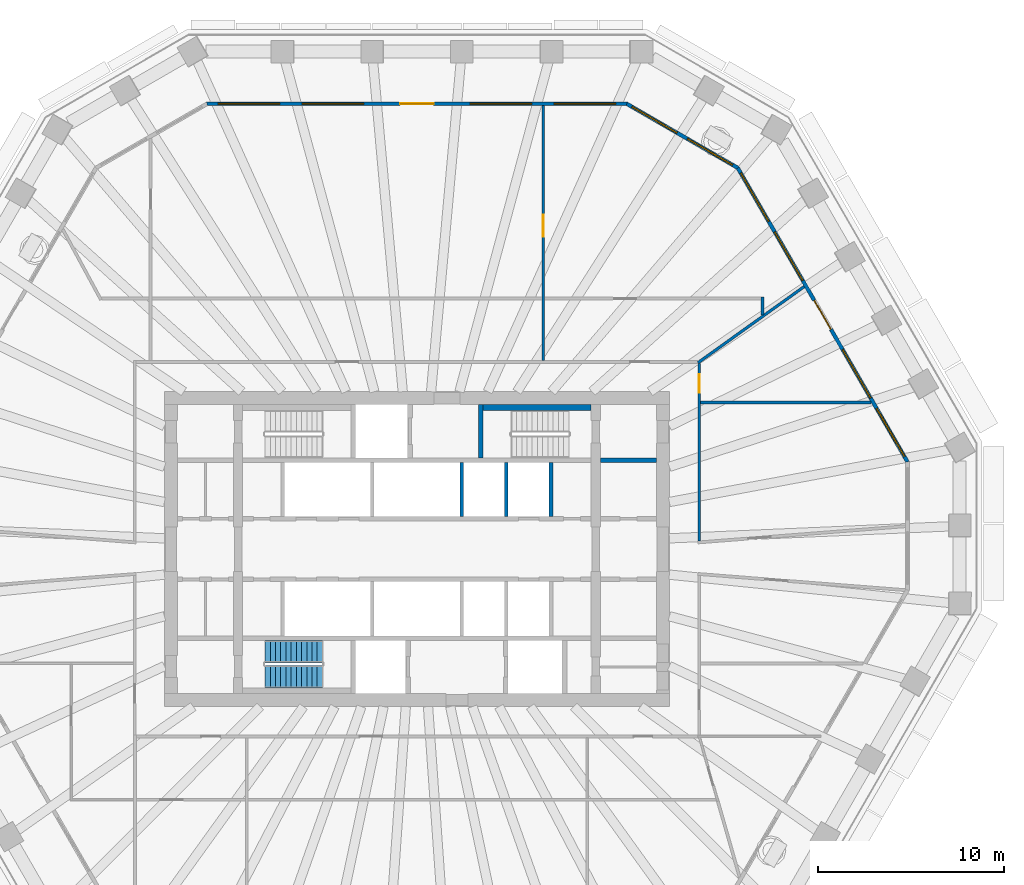
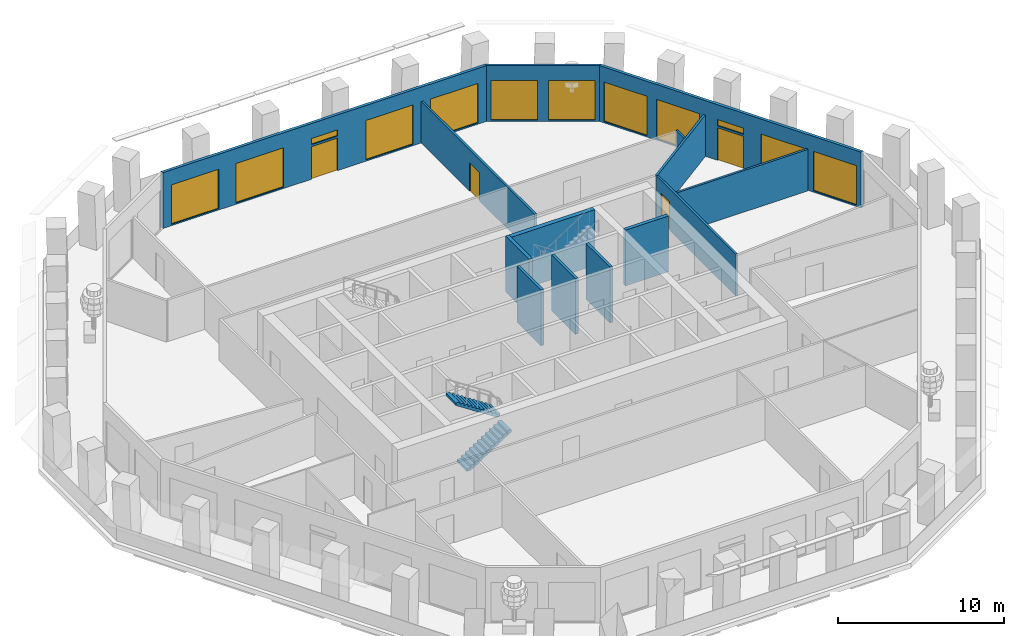
# One storey, part 8 of 13: 14 walls, 12 windows, 4 doors, 2 stair flights, 16 openings, 1 element without a shape of its own.
"""IFC4 building model written with IfcOpenShell, lengths in metres."""

from ifc_helpers import new_model, si_unit, direction, frame, frame_2d, origin, place, context, subcontext, project, spatial, polyline, rectangle, outline, extrude, material, layer, layer_set, type_object, element, fill, aggregate, save


model = new_model("IFC4")

# Units and contexts
model_context = context("Model", 3, precision=1e-05, world=origin(), true_north=direction((0.0, 1.0)))
body_context = subcontext(model_context, "Body", "Model", "MODEL_VIEW")
ifc_project = project(units=[si_unit("LENGTHUNIT", "METRE"), si_unit("AREAUNIT", "SQUARE_METRE"), si_unit("VOLUMEUNIT", "CUBIC_METRE"), si_unit("PLANEANGLEUNIT", "RADIAN"), si_unit("MASSUNIT", "GRAM", prefix="KILO")], contexts=[model_context])

# Site, building, storey
site_placement = place(None, origin())
site = spatial("IfcSite", under=ifc_project, at=site_placement, CompositionType="ELEMENT")
building_placement = place(site_placement, origin())
building = spatial("IfcBuilding", under=site, at=building_placement, Name="Frailejon Research Tower", CompositionType="ELEMENT")
storey_placement = place(building_placement, frame((0.0, 0.0, 184.800048828125)))
storey = spatial("IfcBuildingStorey", under=building, at=storey_placement, Name="L40", CompositionType="ELEMENT", Elevation=184.800048828125)

# Wall, opening, door
ifc_material_1 = material(Name="Gypsum board and masonry partition", Category="masonry")
ifc_layer_1 = layer(ifc_material_1, 0.14990234375)
ifc_layer_set_1 = layer_set([ifc_layer_1], Name="Corridor wall EI 60, gypsum on steel studs 150")
wall_type_1 = type_object("IfcWallType", Name="Corridor wall EI 60, gypsum on steel studs 150", PredefinedType="PARTITIONING", material=ifc_layer_set_1)
wall_1_placement = place(storey_placement, frame((15.14990234375, 0.4375, 0.0), z_axis=(0.0, 0.0, 1.0), x_axis=(0.0, 1.0, 0.0)))
wall_1 = element("IfcWall", 1, at=wall_1_placement, inside=storey, type_object=wall_type_1, Name="T:IW:L40:002", PredefinedType="PARTITIONING", context=body_context, shape_type="SweptSolid", body=[
    extrude(rectangle(XDim=9.53759765625, YDim=0.14990234375, at=frame_2d((4.768798828125, 0.0))), origin(), (0.0, 0.0, 1.0), 3.050048828125),
])
opening_1_placement = place(wall_1_placement, frame((7.953125, 0.0, 0.0)))
opening_1 = element("IfcOpeningElement", 2, at=opening_1_placement, cuts=wall_1, Name="Opening D1864", PredefinedType="OPENING", context=body_context, shape_type="SweptSolid", body=[
    extrude(rectangle(XDim=1.0, YDim=2.10009765625, at=frame_2d((0.5, 1.050048828125))), frame((0.0, 0.0849609375, 0.0), z_axis=(0.0, -1.0, 0.0), x_axis=(1.0, 0.0, 0.0)), (0.0, 0.0, 1.0), 0.169921875),
])
ifc_material_2 = material(Name="Timber door leaf", Category="wood")
door_type_1 = type_object("IfcDoorType", Name="Door laboratory, timber, vision panel 1000", OperationType="NOTDEFINED", PredefinedType="DOOR", material=ifc_material_2)
door_1_placement = place(opening_1_placement, origin())
door_1 = element("IfcDoor", 3, at=door_1_placement, inside=storey, type_object=door_type_1, Name="D1864", OperationType="SINGLE_SWING_RIGHT", OverallHeight=2.10009765625, OverallWidth=1.0, PredefinedType="DOOR", context=body_context, shape_type="SweptSolid", body=[
    extrude(rectangle(XDim=1.0, YDim=2.10009765625, at=frame_2d((0.5, 1.050048828125))), frame((0.0, 0.02490234375, 0.0), z_axis=(0.0, -1.0, 0.0), x_axis=(1.0, 0.0, 0.0)), (0.0, 0.0, 1.0), 0.050048828125),
])
fill(opening_1, door_1)

# Walls
ifc_material_3 = material(Name="Gypsum board and masonry partition", Category="masonry")
ifc_layer_2 = layer(ifc_material_3, 0.14990234375)
ifc_layer_set_2 = layer_set([ifc_layer_2], Name="Laboratory partition, blockwork 150")
wall_type_2 = type_object("IfcWallType", Name="Laboratory partition, blockwork 150", PredefinedType="PARTITIONING", material=ifc_layer_set_2)
wall_2_placement = place(storey_placement, frame((15.22509765625, 7.8740234375, 0.0), z_axis=(0.0, 0.0, 1.0), x_axis=(1.0, 0.0, 0.0)))
element("IfcWall", 4, at=wall_2_placement, inside=storey, type_object=wall_type_2, Name="T:IW:L40:011", PredefinedType="PARTITIONING", context=body_context, shape_type="SweptSolid", body=[
    extrude(rectangle(XDim=9.147705078125, YDim=0.14990234375, at=frame_2d((4.57373046875, 0.0))), origin(), (0.0, 0.0, 1.0), 3.050048828125),
])
wall_3_placement = place(storey_placement, frame((15.089111328125, 10.00634765625, 0.0), z_axis=(0.0, 0.0, 1.0), x_axis=(0.812859190857, 0.582460243999, 0.0)))
element("IfcWall", 5, at=wall_3_placement, inside=storey, type_object=wall_type_2, Name="T:IW:L40:012", PredefinedType="PARTITIONING", context=body_context, shape_type="SweptSolid", body=[
    extrude(rectangle(XDim=7.00732421875, YDim=0.14990234375, at=frame_2d((3.503662109375, 0.0))), origin(), (0.0, 0.0, 1.0), 3.050048828125),
])
wall_4_placement = place(storey_placement, frame((18.550048828125, 12.561279296875, 0.0), z_axis=(0.0, 0.0, 1.0), x_axis=(0.0, 1.0, 0.0)))
element("IfcWall", 6, at=wall_4_placement, inside=storey, type_object=wall_type_2, Name="T:IW:L40:014", PredefinedType="PARTITIONING", context=body_context, shape_type="SweptSolid", body=[
    extrude(rectangle(XDim=0.963623046875, YDim=0.14990234375, at=frame_2d((0.48193359375, 0.0))), origin(), (0.0, 0.0, 1.0), 3.050048828125),
])

# Wall, opening, door
wall_5_placement = place(storey_placement, frame((6.77587890625, 10.125, 0.0), z_axis=(0.0, 0.0, 1.0), x_axis=(0.0, 1.0, 0.0)))
wall_5 = element("IfcWall", 7, at=wall_5_placement, inside=storey, type_object=wall_type_2, Name="T:IW:L40:015", PredefinedType="PARTITIONING", context=body_context, shape_type="SweptSolid", body=[
    extrude(rectangle(XDim=13.675048828125, YDim=0.14990234375, at=frame_2d((6.83740234375, 0.0))), origin(), (0.0, 0.0, 1.0), 3.050048828125),
])
opening_2_placement = place(wall_5_placement, frame((6.632568359375, 0.0, 0.0)))
opening_2 = element("IfcOpeningElement", 8, at=opening_2_placement, cuts=wall_5, Name="Opening D1867", PredefinedType="OPENING", context=body_context, shape_type="SweptSolid", body=[
    extrude(rectangle(XDim=1.199951171875, YDim=2.10009765625, at=frame_2d((0.60009765625, 1.050048828125))), frame((0.0, 0.0849609375, 0.0), z_axis=(0.0, -1.0, 0.0), x_axis=(1.0, 0.0, 0.0)), (0.0, 0.0, 1.0), 0.169921875),
])
ifc_material_4 = material(Name="Timber door leaf", Category="wood")
door_type_2 = type_object("IfcDoorType", Name="Door laboratory, timber, vision panel 1200", OperationType="NOTDEFINED", PredefinedType="DOOR", material=ifc_material_4)
door_2_placement = place(opening_2_placement, origin())
door_2 = element("IfcDoor", 9, at=door_2_placement, inside=storey, type_object=door_type_2, Name="D1867", OperationType="DOUBLE_DOOR_SINGLE_SWING", OverallHeight=2.10009765625, OverallWidth=1.199951171875, PredefinedType="DOOR", context=body_context, shape_type="SweptSolid", body=[
    extrude(rectangle(XDim=1.199951171875, YDim=2.10009765625, at=frame_2d((0.60009765625, 1.050048828125))), frame((0.0, 0.02490234375, 0.0), z_axis=(0.0, -1.0, 0.0), x_axis=(1.0, 0.0, 0.0)), (0.0, 0.0, 1.0), 0.050048828125),
])
fill(opening_2, door_2)

# Walls
ifc_material_5 = material(Name="Concrete C60/75", Category="concrete")
ifc_layer_3 = layer(ifc_material_5, 0.199951171875)
ifc_layer_set_3 = layer_set([ifc_layer_3], Name="Shaft wall 200 C60/75")
wall_type_3 = type_object("IfcWallType", Name="Shaft wall 200 C60/75", PredefinedType="SOLIDWALL", material=ifc_layer_set_3)
for number, where, z_axis, x_axis, name in (
    (10, (2.39990234375, 1.75, 0.0), (0.0, 0.0, 1.0), (0.0, 1.0, 0.0), "Shaft wall"),
    (11, (4.800048828125, 1.75, 0.0), (0.0, 0.0, 1.0), (0.0, 1.0, 0.0), "Shaft wall"),
    (12, (7.199951171875, 1.75, 0.0), (0.0, 0.0, 1.0), (0.0, 1.0, 0.0), "Shaft wall"),
):
    element("IfcWall", number, at=place(storey_placement, frame(where, z_axis=z_axis, x_axis=x_axis)), inside=storey, type_object=wall_type_3, Name=name, PredefinedType="SOLIDWALL", context=body_context, shape_type="SweptSolid", body=[
        extrude(rectangle(XDim=2.89990234375, YDim=0.199951171875, at=frame_2d((1.449951171875, 0.0))), origin(), (0.0, 0.0, 1.0), 4.099853515625),
    ])
ifc_material_6 = material(Name="Concrete C60/75", Category="concrete")
ifc_layer_4 = layer(ifc_material_6, 0.25)
ifc_layer_set_4 = layer_set([ifc_layer_4], Name="Shaft wall 250 C60/75")
wall_type_4 = type_object("IfcWallType", Name="Shaft wall 250 C60/75", PredefinedType="SOLIDWALL", material=ifc_layer_set_4)
wall_6_placement = place(storey_placement, frame((9.85009765625, 4.77490234375, 0.0), z_axis=(0.0, 0.0, 1.0), x_axis=(1.0, 0.0, 0.0)))
element("IfcWall", 13, at=wall_6_placement, inside=storey, type_object=wall_type_4, Name="Shaft wall", PredefinedType="SOLIDWALL", context=body_context, shape_type="SweptSolid", body=[
    extrude(rectangle(XDim=3.0, YDim=0.25, at=frame_2d((1.5, 0.0))), origin(), (0.0, 0.0, 1.0), 4.099853515625),
])
wall_7_placement = place(storey_placement, frame((3.425048828125, 4.89990234375, 0.0), z_axis=(0.0, 0.0, 1.0), x_axis=(0.0, 1.0, 0.0)))
element("IfcWall", 14, at=wall_7_placement, inside=storey, type_object=wall_type_4, Name="Shaft wall", PredefinedType="SOLIDWALL", context=body_context, shape_type="SweptSolid", body=[
    extrude(rectangle(XDim=2.85009765625, YDim=0.25, at=frame_2d((1.425048828125, 0.0))), origin(), (0.0, 0.0, 1.0), 4.099853515625),
])
ifc_material_7 = material(Name="Concrete C60/75", Category="concrete")
ifc_layer_5 = layer(ifc_material_7, 0.300048828125)
ifc_layer_set_5 = layer_set([ifc_layer_5], Name="Shaft wall 300 C60/75")
wall_type_5 = type_object("IfcWallType", Name="Shaft wall 300 C60/75", PredefinedType="SOLIDWALL", material=ifc_layer_set_5)
wall_8_placement = place(storey_placement, frame((3.550048828125, 7.60009765625, 0.0), z_axis=(0.0, 0.0, 1.0), x_axis=(1.0, 0.0, 0.0)))
element("IfcWall", 15, at=wall_8_placement, inside=storey, type_object=wall_type_5, Name="Shaft wall", PredefinedType="SOLIDWALL", context=body_context, shape_type="SweptSolid", body=[
    extrude(rectangle(XDim=5.800048828125, YDim=0.300048828125, at=frame_2d((2.89990234375, 0.0))), origin(), (0.0, 0.0, 1.0), 4.099853515625),
])

# Wall, openings, door, windows
ifc_material_8 = material(Name="Concrete C40/50 precast window wall panel", Category="concrete")
ifc_layer_6 = layer(ifc_material_8, 0.199951171875)
ifc_layer_set_6 = layer_set([ifc_layer_6], Name="Window wall 200")
wall_type_6 = type_object("IfcWallType", Name="Window wall 200", PredefinedType="SOLIDWALL", material=ifc_layer_set_6)
wall_9_placement = place(storey_placement, frame((26.331298828125, 4.681884765625, 0.0), z_axis=(0.0, 0.0, 1.0), x_axis=(-0.500002344326, 0.866024050283, 0.0)))
wall_9 = element("IfcWall", 16, at=wall_9_placement, inside=storey, type_object=wall_type_6, Name="Exterior wall L40", PredefinedType="SOLIDWALL", context=body_context, shape_type="SweptSolid", body=[
    extrude(outline(polyline([(-0.02685546875, -0.10009765625), (0.988525390625, -0.10009765625), (2.00390625, -0.10009765625), (3.01904296875, -0.10009765625), (4.034423828125, -0.10009765625), (5.0498046875, -0.10009765625), (6.065185546875, -0.10009765625), (7.080322265625, -0.10009765625), (8.095703125, -0.10009765625), (9.111083984375, -0.10009765625), (10.12646484375, -0.10009765625), (11.141845703125, -0.10009765625), (12.156982421875, -0.10009765625), (13.17236328125, -0.10009765625), (14.187744140625, -0.10009765625), (15.203125, -0.10009765625), (16.21826171875, -0.10009765625), (17.233642578125, -0.10009765625), (18.2490234375, -0.10009765625), (18.1953125, 0.10009765625), (17.18603515625, 0.10009765625), (16.176513671875, 0.10009765625), (15.167236328125, 0.10009765625), (14.157958984375, 0.10009765625), (13.1484375, 0.10009765625), (12.13916015625, 0.10009765625), (11.1298828125, 0.10009765625), (10.120361328125, 0.10009765625), (9.111083984375, 0.10009765625), (8.101806640625, 0.10009765625), (7.09228515625, 0.10009765625), (6.0830078125, 0.10009765625), (5.07373046875, 0.10009765625), (4.064208984375, 0.10009765625), (3.054931640625, 0.10009765625), (2.045654296875, 0.10009765625), (1.0361328125, 0.10009765625), (0.02685546875, 0.10009765625), (-0.02685546875, -0.10009765625)])), origin(), (0.0, 0.0, 1.0), 4.099853515625),
])
opening_3_placement = place(wall_9_placement, frame((0.322265625, 0.0, 0.10009765625)))
opening_3 = element("IfcOpeningElement", 17, at=opening_3_placement, cuts=wall_9, Name="Opening W4", PredefinedType="OPENING", context=body_context, shape_type="SweptSolid", body=[
    extrude(rectangle(XDim=3.0, YDim=2.89990234375, at=frame_2d((1.5, 1.449951171875))), frame((0.0, 0.10986328125, 0.0), z_axis=(0.0, -1.0, 0.0), x_axis=(1.0, 0.0, 0.0)), (0.0, 0.0, 1.0), 0.219970703125),
])
opening_4_placement = place(wall_9_placement, frame((3.966796875, 0.0, 0.10009765625)))
opening_4 = element("IfcOpeningElement", 18, at=opening_4_placement, cuts=wall_9, Name="Opening W4", PredefinedType="OPENING", context=body_context, shape_type="SweptSolid", body=[
    extrude(rectangle(XDim=3.0, YDim=2.89990234375, at=frame_2d((1.5, 1.449951171875))), frame((0.0, 0.10986328125, 0.0), z_axis=(0.0, -1.0, 0.0), x_axis=(1.0, 0.0, 0.0)), (0.0, 0.0, 1.0), 0.219970703125),
])
opening_5_placement = place(wall_9_placement, frame((8.211181640625, 0.0, 0.0)))
opening_5 = element("IfcOpeningElement", 19, at=opening_5_placement, cuts=wall_9, Name="Opening LG40-1", PredefinedType="OPENING", context=body_context, shape_type="SweptSolid", body=[
    extrude(rectangle(XDim=1.800048828125, YDim=2.39990234375, at=frame_2d((0.89990234375, 1.199951171875))), frame((0.0, 0.10986328125, 0.0), z_axis=(0.0, -1.0, 0.0), x_axis=(1.0, 0.0, 0.0)), (0.0, 0.0, 1.0), 0.219970703125),
])
opening_6_placement = place(wall_9_placement, frame((8.211181640625, 0.0, 2.550048828125)))
opening_6 = element("IfcOpeningElement", 20, at=opening_6_placement, cuts=wall_9, Name="Opening W1", PredefinedType="OPENING", context=body_context, shape_type="SweptSolid", body=[
    extrude(rectangle(XDim=1.800048828125, YDim=0.449951171875, at=frame_2d((0.89990234375, 0.22509765625))), frame((0.0, 0.10986328125, 0.0), z_axis=(0.0, -1.0, 0.0), x_axis=(1.0, 0.0, 0.0)), (0.0, 0.0, 1.0), 0.219970703125),
])
opening_7_placement = place(wall_9_placement, frame((11.255615234375, 0.0, 0.10009765625)))
opening_7 = element("IfcOpeningElement", 21, at=opening_7_placement, cuts=wall_9, Name="Opening W4", PredefinedType="OPENING", context=body_context, shape_type="SweptSolid", body=[
    extrude(rectangle(XDim=3.0, YDim=2.89990234375, at=frame_2d((1.5, 1.449951171875))), frame((0.0, 0.10986328125, 0.0), z_axis=(0.0, -1.0, 0.0), x_axis=(1.0, 0.0, 0.0)), (0.0, 0.0, 1.0), 0.219970703125),
])
opening_8_placement = place(wall_9_placement, frame((14.89990234375, 0.0, 0.10009765625)))
opening_8 = element("IfcOpeningElement", 22, at=opening_8_placement, cuts=wall_9, Name="Opening W4", PredefinedType="OPENING", context=body_context, shape_type="SweptSolid", body=[
    extrude(rectangle(XDim=3.0, YDim=2.89990234375, at=frame_2d((1.5, 1.449951171875))), frame((0.0, 0.10986328125, 0.0), z_axis=(0.0, -1.0, 0.0), x_axis=(1.0, 0.0, 0.0)), (0.0, 0.0, 1.0), 0.219970703125),
])
ifc_material_9 = material(Name="Aluminium framed glazed door leaf", Category="aluminium")
door_type_3 = type_object("IfcDoorType", Name="Loggia door 1800x2400", OperationType="DOUBLE_DOOR_SINGLE_SWING", PredefinedType="DOOR", material=ifc_material_9)
door_3_placement = place(opening_5_placement, origin())
door_3 = element("IfcDoor", 23, at=door_3_placement, inside=storey, type_object=door_type_3, Name="Door LG40-1", OperationType="DOUBLE_DOOR_SINGLE_SWING", OverallHeight=2.39990234375, OverallWidth=1.800048828125, PredefinedType="DOOR", context=body_context, shape_type="SweptSolid", body=[
    extrude(rectangle(XDim=1.800048828125, YDim=2.39990234375, at=frame_2d((0.89990234375, 1.199951171875))), frame((0.0, 0.02490234375, 0.0), z_axis=(0.0, -1.0, 0.0), x_axis=(1.0, 0.0, 0.0)), (0.0, 0.0, 1.0), 0.050048828125),
])
fill(opening_5, door_3)
ifc_material_10 = material(Name="Aluminium framed double glazing", Category="aluminium")
window_type_1 = type_object("IfcWindowType", Name="Window 1800x450", PartitioningType="SINGLE_PANEL", PredefinedType="WINDOW", material=ifc_material_10)
window_1_placement = place(opening_6_placement, origin())
window_1 = element("IfcWindow", 24, at=window_1_placement, inside=storey, type_object=window_type_1, Name="Window L40", OverallHeight=0.449951171875, OverallWidth=1.800048828125, PartitioningType="SINGLE_PANEL", PredefinedType="WINDOW", context=body_context, shape_type="SweptSolid", body=[
    extrude(rectangle(XDim=1.800048828125, YDim=0.449951171875, at=frame_2d((0.89990234375, 0.22509765625))), frame((0.0, 0.030029296875, 0.0), z_axis=(0.0, -1.0, 0.0), x_axis=(1.0, 0.0, 0.0)), (0.0, 0.0, 1.0), 0.06005859375),
])
fill(opening_6, window_1)
ifc_material_11 = material(Name="Aluminium framed double glazing", Category="aluminium")
window_type_2 = type_object("IfcWindowType", Name="Window 3000x2900", PartitioningType="SINGLE_PANEL", PredefinedType="WINDOW", material=ifc_material_11)
window_2_placement = place(opening_3_placement, origin())
window_2 = element("IfcWindow", 25, at=window_2_placement, inside=storey, type_object=window_type_2, Name="Window L40", OverallHeight=2.89990234375, OverallWidth=3.0, PartitioningType="SINGLE_PANEL", PredefinedType="WINDOW", context=body_context, shape_type="SweptSolid", body=[
    extrude(rectangle(XDim=3.0, YDim=2.89990234375, at=frame_2d((1.5, 1.449951171875))), frame((0.0, 0.030029296875, 0.0), z_axis=(0.0, -1.0, 0.0), x_axis=(1.0, 0.0, 0.0)), (0.0, 0.0, 1.0), 0.06005859375),
])
fill(opening_3, window_2)
window_3_placement = place(opening_4_placement, origin())
window_3 = element("IfcWindow", 26, at=window_3_placement, inside=storey, type_object=window_type_2, Name="Window L40", OverallHeight=2.89990234375, OverallWidth=3.0, PartitioningType="SINGLE_PANEL", PredefinedType="WINDOW", context=body_context, shape_type="SweptSolid", body=[
    extrude(rectangle(XDim=3.0, YDim=2.89990234375, at=frame_2d((1.5, 1.449951171875))), frame((0.0, 0.030029296875, 0.0), z_axis=(0.0, -1.0, 0.0), x_axis=(1.0, 0.0, 0.0)), (0.0, 0.0, 1.0), 0.06005859375),
])
fill(opening_4, window_3)
window_4_placement = place(opening_7_placement, origin())
window_4 = element("IfcWindow", 27, at=window_4_placement, inside=storey, type_object=window_type_2, Name="Window L40", OverallHeight=2.89990234375, OverallWidth=3.0, PartitioningType="SINGLE_PANEL", PredefinedType="WINDOW", context=body_context, shape_type="SweptSolid", body=[
    extrude(rectangle(XDim=3.0, YDim=2.89990234375, at=frame_2d((1.5, 1.449951171875))), frame((0.0, 0.030029296875, 0.0), z_axis=(0.0, -1.0, 0.0), x_axis=(1.0, 0.0, 0.0)), (0.0, 0.0, 1.0), 0.06005859375),
])
fill(opening_7, window_4)
window_5_placement = place(opening_8_placement, origin())
window_5 = element("IfcWindow", 28, at=window_5_placement, inside=storey, type_object=window_type_2, Name="Window L40", OverallHeight=2.89990234375, OverallWidth=3.0, PartitioningType="SINGLE_PANEL", PredefinedType="WINDOW", context=body_context, shape_type="SweptSolid", body=[
    extrude(rectangle(XDim=3.0, YDim=2.89990234375, at=frame_2d((1.5, 1.449951171875))), frame((0.0, 0.030029296875, 0.0), z_axis=(0.0, -1.0, 0.0), x_axis=(1.0, 0.0, 0.0)), (0.0, 0.0, 1.0), 0.06005859375),
])
fill(opening_8, window_5)

# Wall, openings, windows
wall_10_placement = place(storey_placement, frame((17.22021484375, 20.462646484375, 0.0), z_axis=(0.0, 0.0, 1.0), x_axis=(-0.866029458321, 0.49999297727, 0.0)))
wall_10 = element("IfcWall", 29, at=wall_10_placement, inside=storey, type_object=wall_type_6, Name="Exterior wall L40", PredefinedType="SOLIDWALL", context=body_context, shape_type="SweptSolid", body=[
    extrude(outline(polyline([(-0.02685546875, -0.10009765625), (1.1279296875, -0.10009765625), (2.282470703125, -0.10009765625), (3.437255859375, -0.10009765625), (4.592041015625, -0.10009765625), (5.74658203125, -0.10009765625), (6.9013671875, -0.10009765625), (6.84765625, 0.10009765625), (5.7109375, 0.10009765625), (4.573974609375, 0.10009765625), (3.437255859375, 0.10009765625), (2.300537109375, 0.10009765625), (1.16357421875, 0.10009765625), (0.02685546875, 0.10009765625), (-0.02685546875, -0.10009765625)])), origin(), (0.0, 0.0, 1.0), 4.099853515625),
])
opening_9_placement = place(wall_10_placement, frame((0.318603515625, 0.0, 0.10009765625)))
opening_9 = element("IfcOpeningElement", 30, at=opening_9_placement, cuts=wall_10, Name="Opening W3", PredefinedType="OPENING", context=body_context, shape_type="SweptSolid", body=[
    extrude(rectangle(XDim=2.800048828125, YDim=2.89990234375, at=frame_2d((1.39990234375, 1.449951171875))), frame((0.0, 0.10986328125, 0.0), z_axis=(0.0, -1.0, 0.0), x_axis=(1.0, 0.0, 0.0)), (0.0, 0.0, 1.0), 0.219970703125),
])
opening_10_placement = place(wall_10_placement, frame((3.756103515625, 0.0, 0.10009765625)))
opening_10 = element("IfcOpeningElement", 31, at=opening_10_placement, cuts=wall_10, Name="Opening W3", PredefinedType="OPENING", context=body_context, shape_type="SweptSolid", body=[
    extrude(rectangle(XDim=2.800048828125, YDim=2.89990234375, at=frame_2d((1.39990234375, 1.449951171875))), frame((0.0, 0.10986328125, 0.0), z_axis=(0.0, -1.0, 0.0), x_axis=(1.0, 0.0, 0.0)), (0.0, 0.0, 1.0), 0.219970703125),
])
ifc_material_12 = material(Name="Aluminium framed double glazing", Category="aluminium")
window_type_3 = type_object("IfcWindowType", Name="Window 2800x2900", PartitioningType="SINGLE_PANEL", PredefinedType="WINDOW", material=ifc_material_12)
window_6_placement = place(opening_9_placement, origin())
window_6 = element("IfcWindow", 32, at=window_6_placement, inside=storey, type_object=window_type_3, Name="Window L40", OverallHeight=2.89990234375, OverallWidth=2.800048828125, PartitioningType="SINGLE_PANEL", PredefinedType="WINDOW", context=body_context, shape_type="SweptSolid", body=[
    extrude(rectangle(XDim=2.800048828125, YDim=2.89990234375, at=frame_2d((1.39990234375, 1.449951171875))), frame((0.0, 0.030029296875, 0.0), z_axis=(0.0, -1.0, 0.0), x_axis=(1.0, 0.0, 0.0)), (0.0, 0.0, 1.0), 0.06005859375),
])
fill(opening_9, window_6)
window_7_placement = place(opening_10_placement, origin())
window_7 = element("IfcWindow", 33, at=window_7_placement, inside=storey, type_object=window_type_3, Name="Window L40", OverallHeight=2.89990234375, OverallWidth=2.800048828125, PartitioningType="SINGLE_PANEL", PredefinedType="WINDOW", context=body_context, shape_type="SweptSolid", body=[
    extrude(rectangle(XDim=2.800048828125, YDim=2.89990234375, at=frame_2d((1.39990234375, 1.449951171875))), frame((0.0, 0.030029296875, 0.0), z_axis=(0.0, -1.0, 0.0), x_axis=(1.0, 0.0, 0.0)), (0.0, 0.0, 1.0), 0.06005859375),
])
fill(opening_10, window_7)

# Wall, openings, door, windows
wall_11_placement = place(storey_placement, frame((11.2666015625, 23.89990234375, 0.0), z_axis=(0.0, 0.0, 1.0), x_axis=(-1.0, 0.0, 0.0)))
wall_11 = element("IfcWall", 34, at=wall_11_placement, inside=storey, type_object=wall_type_6, Name="Exterior wall L40", PredefinedType="SOLIDWALL", context=body_context, shape_type="SweptSolid", body=[
    extrude(outline(polyline([(-0.02685546875, -0.10009765625), (0.999755859375, -0.10009765625), (2.026611328125, -0.10009765625), (3.05322265625, -0.10009765625), (4.079833984375, -0.10009765625), (5.1064453125, -0.10009765625), (6.13330078125, -0.10009765625), (7.159912109375, -0.10009765625), (8.1865234375, -0.10009765625), (9.213134765625, -0.10009765625), (10.239990234375, -0.10009765625), (11.2666015625, -0.10009765625), (12.293212890625, -0.10009765625), (13.320068359375, -0.10009765625), (14.3466796875, -0.10009765625), (15.373291015625, -0.10009765625), (16.39990234375, -0.10009765625), (17.4267578125, -0.10009765625), (18.453369140625, -0.10009765625), (19.47998046875, -0.10009765625), (20.506591796875, -0.10009765625), (21.533447265625, -0.10009765625), (22.56005859375, -0.10009765625), (22.50634765625, 0.10009765625), (21.484619140625, 0.10009765625), (20.462646484375, 0.10009765625), (19.44091796875, 0.10009765625), (18.419189453125, 0.10009765625), (17.3974609375, 0.10009765625), (16.37548828125, 0.10009765625), (15.353759765625, 0.10009765625), (14.33203125, 0.10009765625), (13.310302734375, 0.10009765625), (12.288330078125, 0.10009765625), (11.2666015625, 0.10009765625), (10.244873046875, 0.10009765625), (9.222900390625, 0.10009765625), (8.201171875, 0.10009765625), (7.179443359375, 0.10009765625), (6.15771484375, 0.10009765625), (5.1357421875, 0.10009765625), (4.114013671875, 0.10009765625), (3.09228515625, 0.10009765625), (2.070556640625, 0.10009765625), (1.048583984375, 0.10009765625), (0.02685546875, 0.10009765625), (-0.02685546875, -0.10009765625)])), origin(), (0.0, 0.0, 1.0), 4.099853515625),
])
opening_11_placement = place(wall_11_placement, frame((0.603271484375, 0.0, 0.10009765625)))
opening_11 = element("IfcOpeningElement", 35, at=opening_11_placement, cuts=wall_11, Name="Opening W5", PredefinedType="OPENING", context=body_context, shape_type="SweptSolid", body=[
    extrude(rectangle(XDim=3.300048828125, YDim=2.89990234375, at=frame_2d((1.64990234375, 1.449951171875))), frame((0.0, 0.10986328125, 0.0), z_axis=(0.0, -1.0, 0.0), x_axis=(1.0, 0.0, 0.0)), (0.0, 0.0, 1.0), 0.219970703125),
])
opening_12_placement = place(wall_11_placement, frame((5.110107421875, 0.0, 0.10009765625)))
opening_12 = element("IfcOpeningElement", 36, at=opening_12_placement, cuts=wall_11, Name="Opening W5", PredefinedType="OPENING", context=body_context, shape_type="SweptSolid", body=[
    extrude(rectangle(XDim=3.300048828125, YDim=2.89990234375, at=frame_2d((1.64990234375, 1.449951171875))), frame((0.0, 0.10986328125, 0.0), z_axis=(0.0, -1.0, 0.0), x_axis=(1.0, 0.0, 0.0)), (0.0, 0.0, 1.0), 0.219970703125),
])
opening_13_placement = place(wall_11_placement, frame((10.36669921875, 0.0, 0.0)))
opening_13 = element("IfcOpeningElement", 37, at=opening_13_placement, cuts=wall_11, Name="Opening LG40-2", PredefinedType="OPENING", context=body_context, shape_type="SweptSolid", body=[
    extrude(rectangle(XDim=1.800048828125, YDim=2.39990234375, at=frame_2d((0.89990234375, 1.199951171875))), frame((0.0, 0.10986328125, 0.0), z_axis=(0.0, -1.0, 0.0), x_axis=(1.0, 0.0, 0.0)), (0.0, 0.0, 1.0), 0.219970703125),
])
opening_14_placement = place(wall_11_placement, frame((10.36669921875, 0.0, 2.550048828125)))
opening_14 = element("IfcOpeningElement", 38, at=opening_14_placement, cuts=wall_11, Name="Opening W1", PredefinedType="OPENING", context=body_context, shape_type="SweptSolid", body=[
    extrude(rectangle(XDim=1.800048828125, YDim=0.449951171875, at=frame_2d((0.89990234375, 0.22509765625))), frame((0.0, 0.10986328125, 0.0), z_axis=(0.0, -1.0, 0.0), x_axis=(1.0, 0.0, 0.0)), (0.0, 0.0, 1.0), 0.219970703125),
])
opening_15_placement = place(wall_11_placement, frame((14.123291015625, 0.0, 0.10009765625)))
opening_15 = element("IfcOpeningElement", 39, at=opening_15_placement, cuts=wall_11, Name="Opening W5", PredefinedType="OPENING", context=body_context, shape_type="SweptSolid", body=[
    extrude(rectangle(XDim=3.300048828125, YDim=2.89990234375, at=frame_2d((1.64990234375, 1.449951171875))), frame((0.0, 0.10986328125, 0.0), z_axis=(0.0, -1.0, 0.0), x_axis=(1.0, 0.0, 0.0)), (0.0, 0.0, 1.0), 0.219970703125),
])
opening_16_placement = place(wall_11_placement, frame((18.6298828125, 0.0, 0.10009765625)))
opening_16 = element("IfcOpeningElement", 40, at=opening_16_placement, cuts=wall_11, Name="Opening W5", PredefinedType="OPENING", context=body_context, shape_type="SweptSolid", body=[
    extrude(rectangle(XDim=3.300048828125, YDim=2.89990234375, at=frame_2d((1.64990234375, 1.449951171875))), frame((0.0, 0.10986328125, 0.0), z_axis=(0.0, -1.0, 0.0), x_axis=(1.0, 0.0, 0.0)), (0.0, 0.0, 1.0), 0.219970703125),
])
door_4_placement = place(opening_13_placement, origin())
door_4 = element("IfcDoor", 41, at=door_4_placement, inside=storey, type_object=door_type_3, Name="Door LG40-2", OperationType="DOUBLE_DOOR_SINGLE_SWING", OverallHeight=2.39990234375, OverallWidth=1.800048828125, PredefinedType="DOOR", context=body_context, shape_type="SweptSolid", body=[
    extrude(rectangle(XDim=1.800048828125, YDim=2.39990234375, at=frame_2d((0.89990234375, 1.199951171875))), frame((0.0, 0.02490234375, 0.0), z_axis=(0.0, -1.0, 0.0), x_axis=(1.0, 0.0, 0.0)), (0.0, 0.0, 1.0), 0.050048828125),
])
fill(opening_13, door_4)
window_8_placement = place(opening_14_placement, origin())
window_8 = element("IfcWindow", 42, at=window_8_placement, inside=storey, type_object=window_type_1, Name="Window L40", OverallHeight=0.449951171875, OverallWidth=1.800048828125, PartitioningType="SINGLE_PANEL", PredefinedType="WINDOW", context=body_context, shape_type="SweptSolid", body=[
    extrude(rectangle(XDim=1.800048828125, YDim=0.449951171875, at=frame_2d((0.89990234375, 0.22509765625))), frame((0.0, 0.030029296875, 0.0), z_axis=(0.0, -1.0, 0.0), x_axis=(1.0, 0.0, 0.0)), (0.0, 0.0, 1.0), 0.06005859375),
])
fill(opening_14, window_8)
ifc_material_13 = material(Name="Aluminium framed double glazing", Category="aluminium")
window_type_4 = type_object("IfcWindowType", Name="Window 3300x2900", PartitioningType="SINGLE_PANEL", PredefinedType="WINDOW", material=ifc_material_13)
window_9_placement = place(opening_11_placement, origin())
window_9 = element("IfcWindow", 43, at=window_9_placement, inside=storey, type_object=window_type_4, Name="Window L40", OverallHeight=2.89990234375, OverallWidth=3.300048828125, PartitioningType="SINGLE_PANEL", PredefinedType="WINDOW", context=body_context, shape_type="SweptSolid", body=[
    extrude(rectangle(XDim=3.300048828125, YDim=2.89990234375, at=frame_2d((1.64990234375, 1.449951171875))), frame((0.0, 0.030029296875, 0.0), z_axis=(0.0, -1.0, 0.0), x_axis=(1.0, 0.0, 0.0)), (0.0, 0.0, 1.0), 0.06005859375),
])
fill(opening_11, window_9)
window_10_placement = place(opening_12_placement, origin())
window_10 = element("IfcWindow", 44, at=window_10_placement, inside=storey, type_object=window_type_4, Name="Window L40", OverallHeight=2.89990234375, OverallWidth=3.300048828125, PartitioningType="SINGLE_PANEL", PredefinedType="WINDOW", context=body_context, shape_type="SweptSolid", body=[
    extrude(rectangle(XDim=3.300048828125, YDim=2.89990234375, at=frame_2d((1.64990234375, 1.449951171875))), frame((0.0, 0.030029296875, 0.0), z_axis=(0.0, -1.0, 0.0), x_axis=(1.0, 0.0, 0.0)), (0.0, 0.0, 1.0), 0.06005859375),
])
fill(opening_12, window_10)
window_11_placement = place(opening_15_placement, origin())
window_11 = element("IfcWindow", 45, at=window_11_placement, inside=storey, type_object=window_type_4, Name="Window L40", OverallHeight=2.89990234375, OverallWidth=3.300048828125, PartitioningType="SINGLE_PANEL", PredefinedType="WINDOW", context=body_context, shape_type="SweptSolid", body=[
    extrude(rectangle(XDim=3.300048828125, YDim=2.89990234375, at=frame_2d((1.64990234375, 1.449951171875))), frame((0.0, 0.030029296875, 0.0), z_axis=(0.0, -1.0, 0.0), x_axis=(1.0, 0.0, 0.0)), (0.0, 0.0, 1.0), 0.06005859375),
])
fill(opening_15, window_11)
window_12_placement = place(opening_16_placement, origin())
window_12 = element("IfcWindow", 46, at=window_12_placement, inside=storey, type_object=window_type_4, Name="Window L40", OverallHeight=2.89990234375, OverallWidth=3.300048828125, PartitioningType="SINGLE_PANEL", PredefinedType="WINDOW", context=body_context, shape_type="SweptSolid", body=[
    extrude(rectangle(XDim=3.300048828125, YDim=2.89990234375, at=frame_2d((1.64990234375, 1.449951171875))), frame((0.0, 0.030029296875, 0.0), z_axis=(0.0, -1.0, 0.0), x_axis=(1.0, 0.0, 0.0)), (0.0, 0.0, 1.0), 0.06005859375),
])
fill(opening_16, window_12)

# Stair, stair flights
ifc_material_14 = material(Name="Concrete C50/60", Category="concrete")
stair_type = type_object("IfcStairType", Name="Exit stair 24 risers", PredefinedType="HALF_TURN_STAIR", material=ifc_material_14)
stair_placement = place(storey_placement, origin())
stair = element("IfcStair", 47, at=stair_placement, inside=storey, type_object=stair_type, Name="L40 Exit stair ST2", PredefinedType="HALF_TURN_STAIR")
ifc_material_15 = material(Name="Concrete C50/60", Category="concrete")
ifc_layer_7 = layer(ifc_material_15, 0.14990234375)
ifc_layer_set_7 = layer_set([ifc_layer_7], Name="Stair flight 12 risers")
stair_flight_type = type_object("IfcStairFlightType", Name="Stair flight 12 risers", PredefinedType="STRAIGHT", material=ifc_layer_set_7)
stair_flight_1_placement = place(storey_placement, frame((-8.14990234375, -6.85009765625, 0.0), z_axis=(0.0, 0.0, 1.0), x_axis=(1.0, 0.0, 0.0)))
stair_flight_1 = element("IfcStairFlight", 48, at=stair_flight_1_placement, type_object=stair_flight_type, Name="ST2 flight 1", NumberOfRisers=12, NumberOfTreads=11, PredefinedType="STRAIGHT", RiserHeight=0.183333333, TreadLength=0.28, context=body_context, shape_type="SweptSolid", body=[
    extrude(outline(polyline([(0.0, 0.0), (0.0, 0.183349609375), (0.280029296875, 0.183349609375), (0.280029296875, 0.36669921875), (0.56005859375, 0.36669921875), (0.56005859375, 0.550048828125), (0.840087890625, 0.550048828125), (0.840087890625, 0.7333984375), (1.1201171875, 0.7333984375), (1.1201171875, 0.916748046875), (1.39990234375, 0.916748046875), (1.39990234375, 1.10009765625), (1.679931640625, 1.10009765625), (1.679931640625, 1.283447265625), (1.9599609375, 1.283447265625), (1.9599609375, 1.466552734375), (2.239990234375, 1.466552734375), (2.239990234375, 1.64990234375), (2.52001953125, 1.64990234375), (2.52001953125, 1.833251953125), (2.800048828125, 1.833251953125), (2.800048828125, 2.0166015625), (3.080078125, 2.0166015625), (3.080078125, 2.199951171875), (3.080078125, 1.83740234375), (0.273681640625, 0.0), (0.0, 0.0)])), frame((0.0, 0.60009765625, 0.0), z_axis=(0.0, -1.0, 0.0), x_axis=(1.0, 0.0, 0.0)), (0.0, 0.0, 1.0), 1.199951171875),
])
stair_flight_2_placement = place(storey_placement, frame((-5.070068359375, -5.5, 2.199951171875), z_axis=(0.0, 0.0, 1.0), x_axis=(-1.0, 0.0, 0.0)))
stair_flight_2 = element("IfcStairFlight", 49, at=stair_flight_2_placement, type_object=stair_flight_type, Name="ST2 flight 2", NumberOfRisers=12, NumberOfTreads=11, PredefinedType="STRAIGHT", RiserHeight=0.183333333, TreadLength=0.28, context=body_context, shape_type="SweptSolid", body=[
    extrude(outline(polyline([(0.0, 0.0), (0.0, 0.183349609375), (0.280029296875, 0.183349609375), (0.280029296875, 0.36669921875), (0.56005859375, 0.36669921875), (0.56005859375, 0.550048828125), (0.840087890625, 0.550048828125), (0.840087890625, 0.7333984375), (1.1201171875, 0.7333984375), (1.1201171875, 0.916748046875), (1.39990234375, 0.916748046875), (1.39990234375, 1.10009765625), (1.679931640625, 1.10009765625), (1.679931640625, 1.283447265625), (1.9599609375, 1.283447265625), (1.9599609375, 1.466552734375), (2.239990234375, 1.466552734375), (2.239990234375, 1.64990234375), (2.52001953125, 1.64990234375), (2.52001953125, 1.833251953125), (2.800048828125, 1.833251953125), (2.800048828125, 2.0166015625), (3.080078125, 2.0166015625), (3.080078125, 2.199951171875), (3.080078125, 1.83740234375), (0.273681640625, 0.0), (0.0, 0.0)])), frame((0.0, 0.60009765625, 0.0), z_axis=(0.0, -1.0, 0.0), x_axis=(1.0, 0.0, 0.0)), (0.0, 0.0, 1.0), 1.199951171875),
])
aggregate(stair, [stair_flight_1, stair_flight_2])

save(model, "model.ifc")
